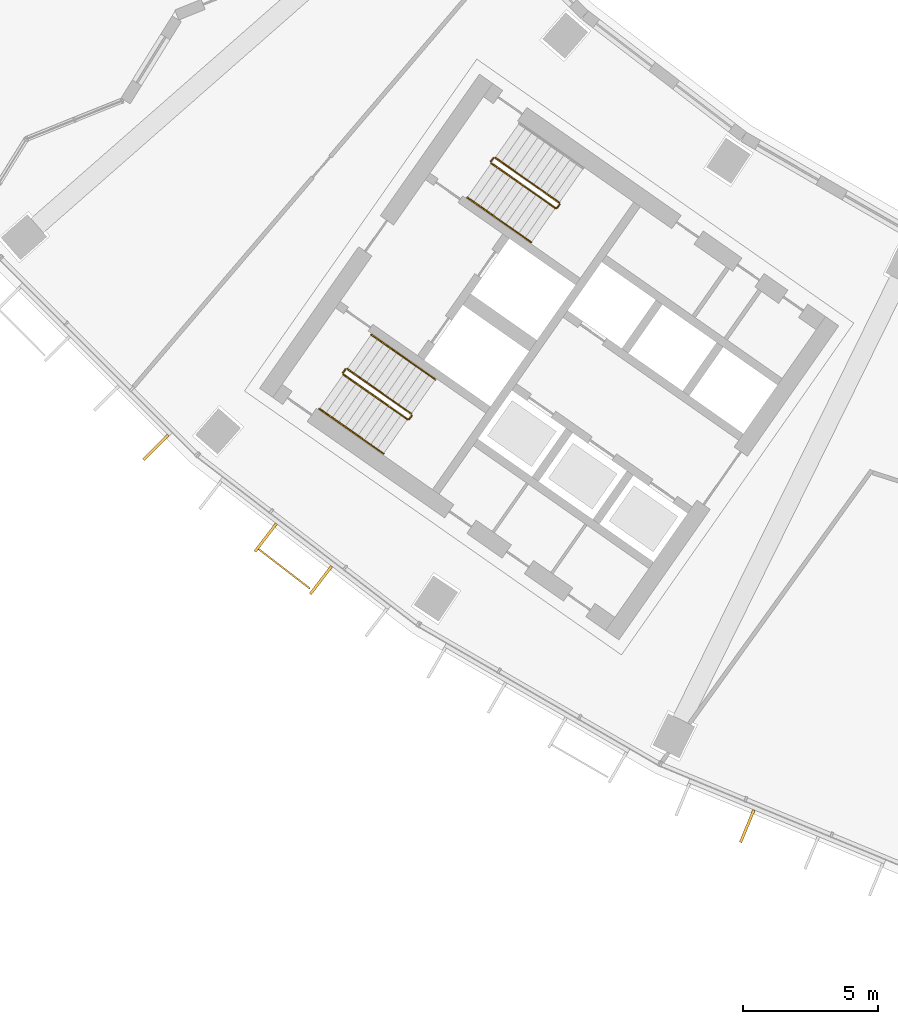
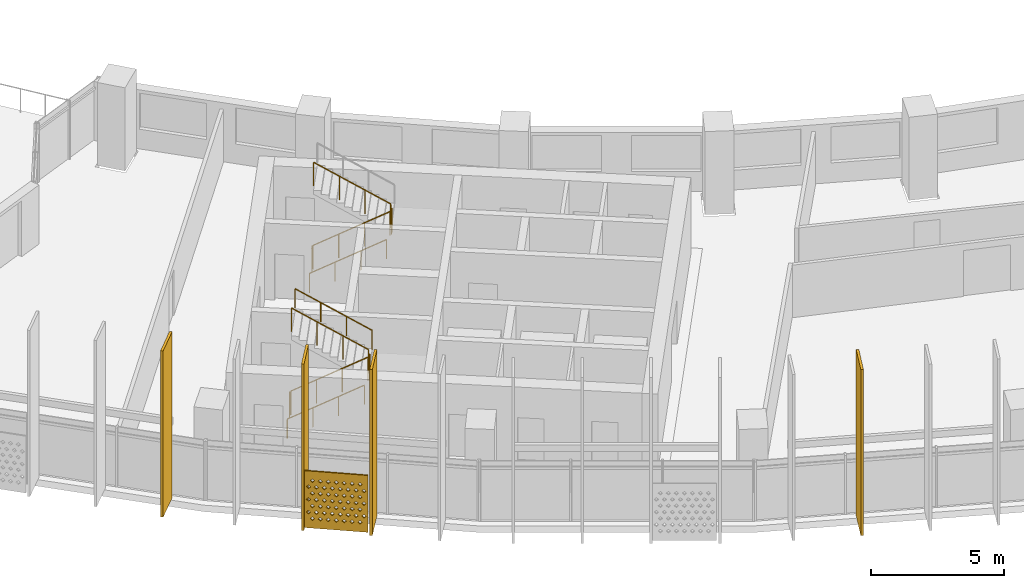
# One storey, part 22 of 31: 9 railings, 5 shading devices.
"""IFC4 building model written with IfcOpenShell, lengths in metres."""

from ifc_helpers import new_model, si_unit, direction, frame, origin, origin_2d, place, context, subcontext, project, spatial, polyline, rectangle, circle, outline, extrude, material, material_profile, profile_set, type_object, element, save


model = new_model("IFC4")

# Units and contexts
model_context = context("Model", 3, precision=1e-05, world=origin(), true_north=direction((0.0, 1.0)))
body_context = subcontext(model_context, "Body", "Model", "MODEL_VIEW")
ifc_project = project(units=[si_unit("LENGTHUNIT", "METRE"), si_unit("AREAUNIT", "SQUARE_METRE"), si_unit("VOLUMEUNIT", "CUBIC_METRE"), si_unit("PLANEANGLEUNIT", "RADIAN"), si_unit("MASSUNIT", "GRAM", prefix="KILO")], contexts=[model_context])

# Site, building, storey
site_placement = place(None, origin())
site = spatial("IfcSite", under=ifc_project, at=site_placement, CompositionType="ELEMENT")
building_placement = place(site_placement, origin())
building = spatial("IfcBuilding", under=site, at=building_placement, Name="Qamariyya Broadcast Tower", CompositionType="ELEMENT")
storey_placement = place(building_placement, frame((0.0, 0.0, 149.300048828125)))
storey = spatial("IfcBuildingStorey", under=building, at=storey_placement, Name="L34", CompositionType="ELEMENT", Elevation=149.300048828125)

# Shading device
ifc_material_1 = material(Name="Perforated glazed terracotta", Category="masonry")
ifc_material_profile_1 = material_profile(ifc_material_1, outline(polyline([(-1.199951171875, -1.300048828125), (1.199951171875, -1.300048828125), (1.199951171875, 1.300048828125), (-1.199951171875, 1.300048828125), (-1.199951171875, -1.300048828125)]), holes=[polyline([(-0.81494140625, -0.86669921875), (-0.89990234375, -0.78173828125), (-0.985107421875, -0.86669921875), (-0.89990234375, -0.95166015625), (-0.81494140625, -0.86669921875)]), polyline([(-0.514892578125, -0.86669921875), (-0.60009765625, -0.78173828125), (-0.68505859375, -0.86669921875), (-0.60009765625, -0.95166015625), (-0.514892578125, -0.86669921875)]), polyline([(-0.215087890625, -0.86669921875), (-0.300048828125, -0.78173828125), (-0.385009765625, -0.86669921875), (-0.300048828125, -0.95166015625), (-0.215087890625, -0.86669921875)]), polyline([(0.0849609375, -0.86669921875), (0.0, -0.78173828125), (-0.0849609375, -0.86669921875), (0.0, -0.95166015625), (0.0849609375, -0.86669921875)]), polyline([(0.385009765625, -0.86669921875), (0.300048828125, -0.78173828125), (0.215087890625, -0.86669921875), (0.300048828125, -0.95166015625), (0.385009765625, -0.86669921875)]), polyline([(0.68505859375, -0.86669921875), (0.60009765625, -0.78173828125), (0.514892578125, -0.86669921875), (0.60009765625, -0.95166015625), (0.68505859375, -0.86669921875)]), polyline([(0.985107421875, -0.86669921875), (0.89990234375, -0.78173828125), (0.81494140625, -0.86669921875), (0.89990234375, -0.95166015625), (0.985107421875, -0.86669921875)]), polyline([(-0.965087890625, -0.577880859375), (-1.050048828125, -0.49267578125), (-1.135009765625, -0.577880859375), (-1.050048828125, -0.662841796875), (-0.965087890625, -0.577880859375)]), polyline([(-0.6650390625, -0.577880859375), (-0.75, -0.49267578125), (-0.8349609375, -0.577880859375), (-0.75, -0.662841796875), (-0.6650390625, -0.577880859375)]), polyline([(-0.364990234375, -0.577880859375), (-0.449951171875, -0.49267578125), (-0.534912109375, -0.577880859375), (-0.449951171875, -0.662841796875), (-0.364990234375, -0.577880859375)]), polyline([(-0.06494140625, -0.577880859375), (-0.14990234375, -0.49267578125), (-0.235107421875, -0.577880859375), (-0.14990234375, -0.662841796875), (-0.06494140625, -0.577880859375)]), polyline([(0.235107421875, -0.577880859375), (0.14990234375, -0.49267578125), (0.06494140625, -0.577880859375), (0.14990234375, -0.662841796875), (0.235107421875, -0.577880859375)]), polyline([(0.534912109375, -0.577880859375), (0.449951171875, -0.49267578125), (0.364990234375, -0.577880859375), (0.449951171875, -0.662841796875), (0.534912109375, -0.577880859375)]), polyline([(0.8349609375, -0.577880859375), (0.75, -0.49267578125), (0.6650390625, -0.577880859375), (0.75, -0.662841796875), (0.8349609375, -0.577880859375)]), polyline([(1.135009765625, -0.577880859375), (1.050048828125, -0.49267578125), (0.965087890625, -0.577880859375), (1.050048828125, -0.662841796875), (1.135009765625, -0.577880859375)]), polyline([(-0.81494140625, -0.288818359375), (-0.89990234375, -0.203857421875), (-0.985107421875, -0.288818359375), (-0.89990234375, -0.373779296875), (-0.81494140625, -0.288818359375)]), polyline([(-0.514892578125, -0.288818359375), (-0.60009765625, -0.203857421875), (-0.68505859375, -0.288818359375), (-0.60009765625, -0.373779296875), (-0.514892578125, -0.288818359375)]), polyline([(-0.215087890625, -0.288818359375), (-0.300048828125, -0.203857421875), (-0.385009765625, -0.288818359375), (-0.300048828125, -0.373779296875), (-0.215087890625, -0.288818359375)]), polyline([(0.0849609375, -0.288818359375), (0.0, -0.203857421875), (-0.0849609375, -0.288818359375), (0.0, -0.373779296875), (0.0849609375, -0.288818359375)]), polyline([(0.385009765625, -0.288818359375), (0.300048828125, -0.203857421875), (0.215087890625, -0.288818359375), (0.300048828125, -0.373779296875), (0.385009765625, -0.288818359375)]), polyline([(0.68505859375, -0.288818359375), (0.60009765625, -0.203857421875), (0.514892578125, -0.288818359375), (0.60009765625, -0.373779296875), (0.68505859375, -0.288818359375)]), polyline([(0.985107421875, -0.288818359375), (0.89990234375, -0.203857421875), (0.81494140625, -0.288818359375), (0.89990234375, -0.373779296875), (0.985107421875, -0.288818359375)]), polyline([(-0.965087890625, 0.0), (-1.050048828125, 0.0849609375), (-1.135009765625, 0.0), (-1.050048828125, -0.0849609375), (-0.965087890625, 0.0)]), polyline([(-0.6650390625, 0.0), (-0.75, 0.0849609375), (-0.8349609375, 0.0), (-0.75, -0.0849609375), (-0.6650390625, 0.0)]), polyline([(-0.364990234375, 0.0), (-0.449951171875, 0.0849609375), (-0.534912109375, 0.0), (-0.449951171875, -0.0849609375), (-0.364990234375, 0.0)]), polyline([(-0.06494140625, 0.0), (-0.14990234375, 0.0849609375), (-0.235107421875, 0.0), (-0.14990234375, -0.0849609375), (-0.06494140625, 0.0)]), polyline([(0.235107421875, 0.0), (0.14990234375, 0.0849609375), (0.06494140625, 0.0), (0.14990234375, -0.0849609375), (0.235107421875, 0.0)]), polyline([(0.534912109375, 0.0), (0.449951171875, 0.0849609375), (0.364990234375, 0.0), (0.449951171875, -0.0849609375), (0.534912109375, 0.0)]), polyline([(0.8349609375, 0.0), (0.75, 0.0849609375), (0.6650390625, 0.0), (0.75, -0.0849609375), (0.8349609375, 0.0)]), polyline([(1.135009765625, 0.0), (1.050048828125, 0.0849609375), (0.965087890625, 0.0), (1.050048828125, -0.0849609375), (1.135009765625, 0.0)]), polyline([(-0.81494140625, 0.288818359375), (-0.89990234375, 0.373779296875), (-0.985107421875, 0.288818359375), (-0.89990234375, 0.203857421875), (-0.81494140625, 0.288818359375)]), polyline([(-0.514892578125, 0.288818359375), (-0.60009765625, 0.373779296875), (-0.68505859375, 0.288818359375), (-0.60009765625, 0.203857421875), (-0.514892578125, 0.288818359375)]), polyline([(-0.215087890625, 0.288818359375), (-0.300048828125, 0.373779296875), (-0.385009765625, 0.288818359375), (-0.300048828125, 0.203857421875), (-0.215087890625, 0.288818359375)]), polyline([(0.0849609375, 0.288818359375), (0.0, 0.373779296875), (-0.0849609375, 0.288818359375), (0.0, 0.203857421875), (0.0849609375, 0.288818359375)]), polyline([(0.385009765625, 0.288818359375), (0.300048828125, 0.373779296875), (0.215087890625, 0.288818359375), (0.300048828125, 0.203857421875), (0.385009765625, 0.288818359375)]), polyline([(0.68505859375, 0.288818359375), (0.60009765625, 0.373779296875), (0.514892578125, 0.288818359375), (0.60009765625, 0.203857421875), (0.68505859375, 0.288818359375)]), polyline([(0.985107421875, 0.288818359375), (0.89990234375, 0.373779296875), (0.81494140625, 0.288818359375), (0.89990234375, 0.203857421875), (0.985107421875, 0.288818359375)]), polyline([(-0.965087890625, 0.577880859375), (-1.050048828125, 0.662841796875), (-1.135009765625, 0.577880859375), (-1.050048828125, 0.49267578125), (-0.965087890625, 0.577880859375)]), polyline([(-0.6650390625, 0.577880859375), (-0.75, 0.662841796875), (-0.8349609375, 0.577880859375), (-0.75, 0.49267578125), (-0.6650390625, 0.577880859375)]), polyline([(-0.364990234375, 0.577880859375), (-0.449951171875, 0.662841796875), (-0.534912109375, 0.577880859375), (-0.449951171875, 0.49267578125), (-0.364990234375, 0.577880859375)]), polyline([(-0.06494140625, 0.577880859375), (-0.14990234375, 0.662841796875), (-0.235107421875, 0.577880859375), (-0.14990234375, 0.49267578125), (-0.06494140625, 0.577880859375)]), polyline([(0.235107421875, 0.577880859375), (0.14990234375, 0.662841796875), (0.06494140625, 0.577880859375), (0.14990234375, 0.49267578125), (0.235107421875, 0.577880859375)]), polyline([(0.534912109375, 0.577880859375), (0.449951171875, 0.662841796875), (0.364990234375, 0.577880859375), (0.449951171875, 0.49267578125), (0.534912109375, 0.577880859375)]), polyline([(0.8349609375, 0.577880859375), (0.75, 0.662841796875), (0.6650390625, 0.577880859375), (0.75, 0.49267578125), (0.8349609375, 0.577880859375)]), polyline([(1.135009765625, 0.577880859375), (1.050048828125, 0.662841796875), (0.965087890625, 0.577880859375), (1.050048828125, 0.49267578125), (1.135009765625, 0.577880859375)]), polyline([(-0.81494140625, 0.86669921875), (-0.89990234375, 0.95166015625), (-0.985107421875, 0.86669921875), (-0.89990234375, 0.78173828125), (-0.81494140625, 0.86669921875)]), polyline([(-0.514892578125, 0.86669921875), (-0.60009765625, 0.95166015625), (-0.68505859375, 0.86669921875), (-0.60009765625, 0.78173828125), (-0.514892578125, 0.86669921875)]), polyline([(-0.215087890625, 0.86669921875), (-0.300048828125, 0.95166015625), (-0.385009765625, 0.86669921875), (-0.300048828125, 0.78173828125), (-0.215087890625, 0.86669921875)]), polyline([(0.0849609375, 0.86669921875), (0.0, 0.95166015625), (-0.0849609375, 0.86669921875), (0.0, 0.78173828125), (0.0849609375, 0.86669921875)]), polyline([(0.385009765625, 0.86669921875), (0.300048828125, 0.95166015625), (0.215087890625, 0.86669921875), (0.300048828125, 0.78173828125), (0.385009765625, 0.86669921875)]), polyline([(0.68505859375, 0.86669921875), (0.60009765625, 0.95166015625), (0.514892578125, 0.86669921875), (0.60009765625, 0.78173828125), (0.68505859375, 0.86669921875)]), polyline([(0.985107421875, 0.86669921875), (0.89990234375, 0.95166015625), (0.81494140625, 0.86669921875), (0.89990234375, 0.78173828125), (0.985107421875, 0.86669921875)])]))
ifc_profile_set_1 = profile_set([ifc_material_profile_1], Name="Perforated glazed terracotta")
shading_device_type_1 = type_object("IfcShadingDeviceType", Name="Perforated terracotta screen 2400 x 2600", PredefinedType="USERDEFINED", material=ifc_profile_set_1)
shading_device_placement = place(storey_placement, frame((-48.79541015625, -63.52294921875, 1.349853515625), z_axis=(-0.60971076085, -0.792623989105, 0.0), x_axis=(0.792623989105, -0.60971076085, 0.0)))
element("IfcShadingDevice", 1, at=shading_device_placement, inside=storey, type_object=shading_device_type_1, Name="e-scr-L34-02-1", ObjectType="SCREEN", PredefinedType="USERDEFINED", context=body_context, shape_type="SweptSolid", body=[
    extrude(outline(polyline([(-1.199951171875, -1.300048828125), (1.199951171875, -1.300048828125), (1.199951171875, 1.300048828125), (-1.199951171875, 1.300048828125), (-1.199951171875, -1.300048828125)]), holes=[polyline([(-0.81494140625, -0.86669921875), (-0.89990234375, -0.78173828125), (-0.985107421875, -0.86669921875), (-0.89990234375, -0.95166015625), (-0.81494140625, -0.86669921875)]), polyline([(-0.514892578125, -0.86669921875), (-0.60009765625, -0.78173828125), (-0.68505859375, -0.86669921875), (-0.60009765625, -0.95166015625), (-0.514892578125, -0.86669921875)]), polyline([(-0.215087890625, -0.86669921875), (-0.300048828125, -0.78173828125), (-0.385009765625, -0.86669921875), (-0.300048828125, -0.95166015625), (-0.215087890625, -0.86669921875)]), polyline([(0.0849609375, -0.86669921875), (0.0, -0.78173828125), (-0.0849609375, -0.86669921875), (0.0, -0.95166015625), (0.0849609375, -0.86669921875)]), polyline([(0.385009765625, -0.86669921875), (0.300048828125, -0.78173828125), (0.215087890625, -0.86669921875), (0.300048828125, -0.95166015625), (0.385009765625, -0.86669921875)]), polyline([(0.68505859375, -0.86669921875), (0.60009765625, -0.78173828125), (0.514892578125, -0.86669921875), (0.60009765625, -0.95166015625), (0.68505859375, -0.86669921875)]), polyline([(0.985107421875, -0.86669921875), (0.89990234375, -0.78173828125), (0.81494140625, -0.86669921875), (0.89990234375, -0.95166015625), (0.985107421875, -0.86669921875)]), polyline([(-0.965087890625, -0.577880859375), (-1.050048828125, -0.49267578125), (-1.135009765625, -0.577880859375), (-1.050048828125, -0.662841796875), (-0.965087890625, -0.577880859375)]), polyline([(-0.6650390625, -0.577880859375), (-0.75, -0.49267578125), (-0.8349609375, -0.577880859375), (-0.75, -0.662841796875), (-0.6650390625, -0.577880859375)]), polyline([(-0.364990234375, -0.577880859375), (-0.449951171875, -0.49267578125), (-0.534912109375, -0.577880859375), (-0.449951171875, -0.662841796875), (-0.364990234375, -0.577880859375)]), polyline([(-0.06494140625, -0.577880859375), (-0.14990234375, -0.49267578125), (-0.235107421875, -0.577880859375), (-0.14990234375, -0.662841796875), (-0.06494140625, -0.577880859375)]), polyline([(0.235107421875, -0.577880859375), (0.14990234375, -0.49267578125), (0.06494140625, -0.577880859375), (0.14990234375, -0.662841796875), (0.235107421875, -0.577880859375)]), polyline([(0.534912109375, -0.577880859375), (0.449951171875, -0.49267578125), (0.364990234375, -0.577880859375), (0.449951171875, -0.662841796875), (0.534912109375, -0.577880859375)]), polyline([(0.8349609375, -0.577880859375), (0.75, -0.49267578125), (0.6650390625, -0.577880859375), (0.75, -0.662841796875), (0.8349609375, -0.577880859375)]), polyline([(1.135009765625, -0.577880859375), (1.050048828125, -0.49267578125), (0.965087890625, -0.577880859375), (1.050048828125, -0.662841796875), (1.135009765625, -0.577880859375)]), polyline([(-0.81494140625, -0.288818359375), (-0.89990234375, -0.203857421875), (-0.985107421875, -0.288818359375), (-0.89990234375, -0.373779296875), (-0.81494140625, -0.288818359375)]), polyline([(-0.514892578125, -0.288818359375), (-0.60009765625, -0.203857421875), (-0.68505859375, -0.288818359375), (-0.60009765625, -0.373779296875), (-0.514892578125, -0.288818359375)]), polyline([(-0.215087890625, -0.288818359375), (-0.300048828125, -0.203857421875), (-0.385009765625, -0.288818359375), (-0.300048828125, -0.373779296875), (-0.215087890625, -0.288818359375)]), polyline([(0.0849609375, -0.288818359375), (0.0, -0.203857421875), (-0.0849609375, -0.288818359375), (0.0, -0.373779296875), (0.0849609375, -0.288818359375)]), polyline([(0.385009765625, -0.288818359375), (0.300048828125, -0.203857421875), (0.215087890625, -0.288818359375), (0.300048828125, -0.373779296875), (0.385009765625, -0.288818359375)]), polyline([(0.68505859375, -0.288818359375), (0.60009765625, -0.203857421875), (0.514892578125, -0.288818359375), (0.60009765625, -0.373779296875), (0.68505859375, -0.288818359375)]), polyline([(0.985107421875, -0.288818359375), (0.89990234375, -0.203857421875), (0.81494140625, -0.288818359375), (0.89990234375, -0.373779296875), (0.985107421875, -0.288818359375)]), polyline([(-0.965087890625, 0.0), (-1.050048828125, 0.0849609375), (-1.135009765625, 0.0), (-1.050048828125, -0.0849609375), (-0.965087890625, 0.0)]), polyline([(-0.6650390625, 0.0), (-0.75, 0.0849609375), (-0.8349609375, 0.0), (-0.75, -0.0849609375), (-0.6650390625, 0.0)]), polyline([(-0.364990234375, 0.0), (-0.449951171875, 0.0849609375), (-0.534912109375, 0.0), (-0.449951171875, -0.0849609375), (-0.364990234375, 0.0)]), polyline([(-0.06494140625, 0.0), (-0.14990234375, 0.0849609375), (-0.235107421875, 0.0), (-0.14990234375, -0.0849609375), (-0.06494140625, 0.0)]), polyline([(0.235107421875, 0.0), (0.14990234375, 0.0849609375), (0.06494140625, 0.0), (0.14990234375, -0.0849609375), (0.235107421875, 0.0)]), polyline([(0.534912109375, 0.0), (0.449951171875, 0.0849609375), (0.364990234375, 0.0), (0.449951171875, -0.0849609375), (0.534912109375, 0.0)]), polyline([(0.8349609375, 0.0), (0.75, 0.0849609375), (0.6650390625, 0.0), (0.75, -0.0849609375), (0.8349609375, 0.0)]), polyline([(1.135009765625, 0.0), (1.050048828125, 0.0849609375), (0.965087890625, 0.0), (1.050048828125, -0.0849609375), (1.135009765625, 0.0)]), polyline([(-0.81494140625, 0.288818359375), (-0.89990234375, 0.373779296875), (-0.985107421875, 0.288818359375), (-0.89990234375, 0.203857421875), (-0.81494140625, 0.288818359375)]), polyline([(-0.514892578125, 0.288818359375), (-0.60009765625, 0.373779296875), (-0.68505859375, 0.288818359375), (-0.60009765625, 0.203857421875), (-0.514892578125, 0.288818359375)]), polyline([(-0.215087890625, 0.288818359375), (-0.300048828125, 0.373779296875), (-0.385009765625, 0.288818359375), (-0.300048828125, 0.203857421875), (-0.215087890625, 0.288818359375)]), polyline([(0.0849609375, 0.288818359375), (0.0, 0.373779296875), (-0.0849609375, 0.288818359375), (0.0, 0.203857421875), (0.0849609375, 0.288818359375)]), polyline([(0.385009765625, 0.288818359375), (0.300048828125, 0.373779296875), (0.215087890625, 0.288818359375), (0.300048828125, 0.203857421875), (0.385009765625, 0.288818359375)]), polyline([(0.68505859375, 0.288818359375), (0.60009765625, 0.373779296875), (0.514892578125, 0.288818359375), (0.60009765625, 0.203857421875), (0.68505859375, 0.288818359375)]), polyline([(0.985107421875, 0.288818359375), (0.89990234375, 0.373779296875), (0.81494140625, 0.288818359375), (0.89990234375, 0.203857421875), (0.985107421875, 0.288818359375)]), polyline([(-0.965087890625, 0.577880859375), (-1.050048828125, 0.662841796875), (-1.135009765625, 0.577880859375), (-1.050048828125, 0.49267578125), (-0.965087890625, 0.577880859375)]), polyline([(-0.6650390625, 0.577880859375), (-0.75, 0.662841796875), (-0.8349609375, 0.577880859375), (-0.75, 0.49267578125), (-0.6650390625, 0.577880859375)]), polyline([(-0.364990234375, 0.577880859375), (-0.449951171875, 0.662841796875), (-0.534912109375, 0.577880859375), (-0.449951171875, 0.49267578125), (-0.364990234375, 0.577880859375)]), polyline([(-0.06494140625, 0.577880859375), (-0.14990234375, 0.662841796875), (-0.235107421875, 0.577880859375), (-0.14990234375, 0.49267578125), (-0.06494140625, 0.577880859375)]), polyline([(0.235107421875, 0.577880859375), (0.14990234375, 0.662841796875), (0.06494140625, 0.577880859375), (0.14990234375, 0.49267578125), (0.235107421875, 0.577880859375)]), polyline([(0.534912109375, 0.577880859375), (0.449951171875, 0.662841796875), (0.364990234375, 0.577880859375), (0.449951171875, 0.49267578125), (0.534912109375, 0.577880859375)]), polyline([(0.8349609375, 0.577880859375), (0.75, 0.662841796875), (0.6650390625, 0.577880859375), (0.75, 0.49267578125), (0.8349609375, 0.577880859375)]), polyline([(1.135009765625, 0.577880859375), (1.050048828125, 0.662841796875), (0.965087890625, 0.577880859375), (1.050048828125, 0.49267578125), (1.135009765625, 0.577880859375)]), polyline([(-0.81494140625, 0.86669921875), (-0.89990234375, 0.95166015625), (-0.985107421875, 0.86669921875), (-0.89990234375, 0.78173828125), (-0.81494140625, 0.86669921875)]), polyline([(-0.514892578125, 0.86669921875), (-0.60009765625, 0.95166015625), (-0.68505859375, 0.86669921875), (-0.60009765625, 0.78173828125), (-0.514892578125, 0.86669921875)]), polyline([(-0.215087890625, 0.86669921875), (-0.300048828125, 0.95166015625), (-0.385009765625, 0.86669921875), (-0.300048828125, 0.78173828125), (-0.215087890625, 0.86669921875)]), polyline([(0.0849609375, 0.86669921875), (0.0, 0.95166015625), (-0.0849609375, 0.86669921875), (0.0, 0.78173828125), (0.0849609375, 0.86669921875)]), polyline([(0.385009765625, 0.86669921875), (0.300048828125, 0.95166015625), (0.215087890625, 0.86669921875), (0.300048828125, 0.78173828125), (0.385009765625, 0.86669921875)]), polyline([(0.68505859375, 0.86669921875), (0.60009765625, 0.95166015625), (0.514892578125, 0.86669921875), (0.60009765625, 0.78173828125), (0.68505859375, 0.86669921875)]), polyline([(0.985107421875, 0.86669921875), (0.89990234375, 0.95166015625), (0.81494140625, 0.86669921875), (0.89990234375, 0.78173828125), (0.985107421875, 0.86669921875)])]), origin(), (0.0, 0.0, 1.0), 0.06005859375),
])

# Railings
ifc_material_2 = material(Name="Painted steel", Category="steel")
railing_type_1 = type_object("IfcRailingType", Name="Stair guard", PredefinedType="GUARDRAIL", material=ifc_material_2)
railing_1_placement = place(storey_placement, frame((-41.146728515625, -48.52490234375, 0.172607421875)))
element("IfcRailing", 2, at=railing_1_placement, inside=storey, type_object=railing_type_1, Name="L34 ST-W2 stair guard 1", PredefinedType="GUARDRAIL", context=body_context, shape_type="SweptSolid", body=[
    extrude(circle(Radius=0.02392578125, at=origin_2d()), frame((0.0, 0.0, 1.076171875), z_axis=(0.703770094002, -0.492783725636, 0.511734163933), x_axis=(0.573575343427, 0.819152809562, 0.0)), (0.0, 0.0, 1.0), 3.37548828125),
    extrude(circle(Radius=0.02392578125, at=origin_2d()), frame((2.37548828125, -1.663330078125, 2.80322265625), z_axis=(0.985059694769, 0.172213233351, 0.0), x_axis=(-0.172213233351, 0.985059694769, 0.0)), (0.0, 0.0, 1.0), 0.07080078125),
    extrude(circle(Radius=0.02392578125, at=origin_2d()), frame((2.4453125, -1.651123046875, 2.80322265625), z_axis=(0.572588637393, 0.819842821722, 0.0), x_axis=(-0.819842821722, 0.572588637393, 0.0)), (0.0, 0.0, 1.0), 0.150146484375),
    extrude(circle(Radius=0.02099609375, at=origin_2d()), origin(), (0.0, 0.0, 1.0), 1.052001953125),
    extrude(circle(Radius=0.02099609375, at=origin_2d()), frame((0.791748046875, -0.554443359375, 0.57568359375)), (0.0, 0.0, 1.0), 1.052001953125),
    extrude(circle(Radius=0.02099609375, at=origin_2d()), frame((1.583740234375, -1.10888671875, 1.151611328125)), (0.0, 0.0, 1.0), 1.052001953125),
    extrude(circle(Radius=0.02099609375, at=origin_2d()), frame((2.37548828125, -1.663330078125, 1.727294921875)), (0.0, 0.0, 1.0), 1.052001953125),
    extrude(circle(Radius=0.02099609375, at=origin_2d()), frame((2.4453125, -1.651123046875, 1.727294921875)), (0.0, 0.0, 1.0), 1.052001953125),
    extrude(circle(Radius=0.02099609375, at=origin_2d()), frame((2.53125, -1.528076171875, 1.727294921875)), (0.0, 0.0, 1.0), 1.052001953125),
])
railing_2_placement = place(storey_placement, frame((-38.627685546875, -49.9833984375, 2.07275390625)))
element("IfcRailing", 3, at=railing_2_placement, inside=storey, type_object=railing_type_1, Name="L34 ST-W2 stair guard 2", PredefinedType="GUARDRAIL", context=body_context, shape_type="SweptSolid", body=[
    extrude(circle(Radius=0.02392578125, at=origin_2d()), frame((0.0, 0.0, 1.076171875), z_axis=(-0.703770094002, 0.492783725636, 0.511734163933), x_axis=(-0.573575343427, -0.819152809562, 0.0)), (0.0, 0.0, 1.0), 3.37548828125),
    extrude(circle(Radius=0.02099609375, at=origin_2d()), origin(), (0.0, 0.0, 1.0), 1.052001953125),
    extrude(circle(Radius=0.02099609375, at=origin_2d()), frame((-0.791748046875, 0.554443359375, 0.57568359375)), (0.0, 0.0, 1.0), 1.052001953125),
    extrude(circle(Radius=0.02099609375, at=origin_2d()), frame((-1.583740234375, 1.10888671875, 1.151611328125)), (0.0, 0.0, 1.0), 1.052001953125),
    extrude(circle(Radius=0.02099609375, at=origin_2d()), frame((-2.37548828125, 1.663330078125, 1.727294921875)), (0.0, 0.0, 1.0), 1.052001953125),
])
railing_3_placement = place(storey_placement, frame((-41.158935546875, -48.455322265625, 0.0)))
element("IfcRailing", 4, at=railing_3_placement, inside=storey, type_object=railing_type_1, Name="L34 ST-W2 stair guard 3", PredefinedType="GUARDRAIL", context=body_context, shape_type="SweptSolid", body=[
    extrude(circle(Radius=0.02392578125, at=origin_2d()), frame((0.0, 0.0, 1.076171875), z_axis=(0.572588637393, 0.819842821722, 0.0), x_axis=(-0.819842821722, 0.572588637393, 0.0)), (0.0, 0.0, 1.0), 0.150146484375),
    extrude(circle(Radius=0.02099609375, at=origin_2d()), origin(), (0.0, 0.0, 1.0), 1.052001953125),
    extrude(circle(Radius=0.02099609375, at=origin_2d()), frame((0.0859375, 0.123046875, 0.0)), (0.0, 0.0, 1.0), 1.052001953125),
])
railing_4_placement = place(storey_placement, frame((-46.624267578125, -56.34765625, 0.172607421875)))
element("IfcRailing", 5, at=railing_4_placement, inside=storey, type_object=railing_type_1, Name="L34 ST-W1 stair guard 1", PredefinedType="GUARDRAIL", context=body_context, shape_type="SweptSolid", body=[
    extrude(circle(Radius=0.02392578125, at=origin_2d()), frame((0.0, 0.0, 1.076171875), z_axis=(0.703745009021, -0.492838488332, 0.511715923826), x_axis=(0.573631830683, 0.819113253969, 0.0)), (0.0, 0.0, 1.0), 3.37548828125),
    extrude(circle(Radius=0.02392578125, at=origin_2d()), frame((2.37548828125, -1.66357421875, 2.80322265625), z_axis=(0.984363469884, 0.176149252506, 0.0), x_axis=(-0.176149252506, 0.984363469884, 0.0)), (0.0, 0.0, 1.0), 0.07080078125),
    extrude(circle(Radius=0.02392578125, at=origin_2d()), frame((2.445068359375, -1.651123046875, 2.80322265625), z_axis=(0.574444878118, 0.818543268254, 0.0), x_axis=(-0.818543268254, 0.574444878118, 0.0)), (0.0, 0.0, 1.0), 0.150146484375),
    extrude(circle(Radius=0.02099609375, at=origin_2d()), origin(), (0.0, 0.0, 1.0), 1.052001953125),
    extrude(circle(Radius=0.02099609375, at=origin_2d()), frame((0.791748046875, -0.554443359375, 0.57568359375)), (0.0, 0.0, 1.0), 1.052001953125),
    extrude(circle(Radius=0.02099609375, at=origin_2d()), frame((1.583740234375, -1.109130859375, 1.151611328125)), (0.0, 0.0, 1.0), 1.052001953125),
    extrude(circle(Radius=0.02099609375, at=origin_2d()), frame((2.37548828125, -1.66357421875, 1.727294921875)), (0.0, 0.0, 1.0), 1.052001953125),
    extrude(circle(Radius=0.02099609375, at=origin_2d()), frame((2.445068359375, -1.651123046875, 1.727294921875)), (0.0, 0.0, 1.0), 1.052001953125),
    extrude(circle(Radius=0.02099609375, at=origin_2d()), frame((2.53125, -1.5283203125, 1.727294921875)), (0.0, 0.0, 1.0), 1.052001953125),
])
railing_5_placement = place(storey_placement, frame((-44.10546875, -57.806396484375, 2.07275390625)))
element("IfcRailing", 6, at=railing_5_placement, inside=storey, type_object=railing_type_1, Name="L34 ST-W1 stair guard 2", PredefinedType="GUARDRAIL", context=body_context, shape_type="SweptSolid", body=[
    extrude(circle(Radius=0.02392578125, at=origin_2d()), frame((0.0, 0.0, 1.076171875), z_axis=(-0.703770094002, 0.492783725636, 0.511734163933), x_axis=(-0.573575343427, -0.819152809562, 0.0)), (0.0, 0.0, 1.0), 3.37548828125),
    extrude(circle(Radius=0.02099609375, at=origin_2d()), origin(), (0.0, 0.0, 1.0), 1.052001953125),
    extrude(circle(Radius=0.02099609375, at=origin_2d()), frame((-0.791748046875, 0.554443359375, 0.57568359375)), (0.0, 0.0, 1.0), 1.052001953125),
    extrude(circle(Radius=0.02099609375, at=origin_2d()), frame((-1.583740234375, 1.10888671875, 1.151611328125)), (0.0, 0.0, 1.0), 1.052001953125),
    extrude(circle(Radius=0.02099609375, at=origin_2d()), frame((-2.37548828125, 1.663330078125, 1.727294921875)), (0.0, 0.0, 1.0), 1.052001953125),
])
railing_6_placement = place(storey_placement, frame((-46.63671875, -56.278076171875, 0.0)))
element("IfcRailing", 7, at=railing_6_placement, inside=storey, type_object=railing_type_1, Name="L34 ST-W1 stair guard 3", PredefinedType="GUARDRAIL", context=body_context, shape_type="SweptSolid", body=[
    extrude(circle(Radius=0.02392578125, at=origin_2d()), frame((0.0, 0.0, 1.076171875), z_axis=(0.574444878118, 0.818543268254, 0.0), x_axis=(-0.818543268254, 0.574444878118, 0.0)), (0.0, 0.0, 1.0), 0.150146484375),
    extrude(circle(Radius=0.02099609375, at=origin_2d()), origin(), (0.0, 0.0, 1.0), 1.052001953125),
    extrude(circle(Radius=0.02099609375, at=origin_2d()), frame((0.086181640625, 0.122802734375, 0.0)), (0.0, 0.0, 1.0), 1.052001953125),
])
ifc_material_3 = material(Name="Stainless steel", Category="steel")
railing_type_2 = type_object("IfcRailingType", Name="Stair handrail", PredefinedType="HANDRAIL", material=ifc_material_3)
railing_7_placement = place(storey_placement, frame((-42.03564453125, -49.79443359375, 0.172607421875)))
element("IfcRailing", 8, at=railing_7_placement, inside=storey, type_object=railing_type_2, Name="L34 ST-W2 stair handrail 1", PredefinedType="HANDRAIL", context=body_context, shape_type="SweptSolid", body=[
    extrude(circle(Radius=0.02392578125, at=origin_2d()), frame((0.0, 0.0, 0.8759765625), z_axis=(0.703745009021, -0.492838488332, 0.511715923826), x_axis=(0.573631830683, 0.819113253969, 0.0)), (0.0, 0.0, 1.0), 3.37548828125),
    extrude(circle(Radius=0.02099609375, at=origin_2d()), origin(), (0.0, 0.0, 1.0), 0.851806640625),
    extrude(circle(Radius=0.02099609375, at=origin_2d()), frame((0.791748046875, -0.554443359375, 0.57568359375)), (0.0, 0.0, 1.0), 0.851806640625),
    extrude(circle(Radius=0.02099609375, at=origin_2d()), frame((1.583740234375, -1.109130859375, 1.151611328125)), (0.0, 0.0, 1.0), 0.851806640625),
    extrude(circle(Radius=0.02099609375, at=origin_2d()), frame((2.37548828125, -1.66357421875, 1.727294921875)), (0.0, 0.0, 1.0), 0.851806640625),
])
railing_8_placement = place(storey_placement, frame((-47.513427734375, -57.617431640625, 0.172607421875)))
element("IfcRailing", 9, at=railing_8_placement, inside=storey, type_object=railing_type_2, Name="L34 ST-W1 stair handrail 1", PredefinedType="HANDRAIL", context=body_context, shape_type="SweptSolid", body=[
    extrude(circle(Radius=0.02392578125, at=origin_2d()), frame((0.0, 0.0, 0.8759765625), z_axis=(0.703770094002, -0.492783725636, 0.511734163933), x_axis=(0.573575343427, 0.819152809562, 0.0)), (0.0, 0.0, 1.0), 3.37548828125),
    extrude(circle(Radius=0.02099609375, at=origin_2d()), origin(), (0.0, 0.0, 1.0), 0.851806640625),
    extrude(circle(Radius=0.02099609375, at=origin_2d()), frame((0.791748046875, -0.554443359375, 0.57568359375)), (0.0, 0.0, 1.0), 0.851806640625),
    extrude(circle(Radius=0.02099609375, at=origin_2d()), frame((1.583740234375, -1.10888671875, 1.151611328125)), (0.0, 0.0, 1.0), 0.851806640625),
    extrude(circle(Radius=0.02099609375, at=origin_2d()), frame((2.37548828125, -1.663330078125, 1.727294921875)), (0.0, 0.0, 1.0), 0.851806640625),
])
railing_9_placement = place(storey_placement, frame((-43.21630859375, -56.53662109375, 2.07275390625)))
element("IfcRailing", 10, at=railing_9_placement, inside=storey, type_object=railing_type_2, Name="L34 ST-W1 stair handrail 2", PredefinedType="HANDRAIL", context=body_context, shape_type="SweptSolid", body=[
    extrude(circle(Radius=0.02392578125, at=origin_2d()), frame((0.0, 0.0, 0.8759765625), z_axis=(-0.703770094002, 0.492783725636, 0.511734163933), x_axis=(-0.573575343427, -0.819152809562, 0.0)), (0.0, 0.0, 1.0), 3.37548828125),
    extrude(circle(Radius=0.02099609375, at=origin_2d()), origin(), (0.0, 0.0, 1.0), 0.851806640625),
    extrude(circle(Radius=0.02099609375, at=origin_2d()), frame((-0.791748046875, 0.554443359375, 0.57568359375)), (0.0, 0.0, 1.0), 0.851806640625),
    extrude(circle(Radius=0.02099609375, at=origin_2d()), frame((-1.583740234375, 1.10888671875, 1.151611328125)), (0.0, 0.0, 1.0), 0.851806640625),
    extrude(circle(Radius=0.02099609375, at=origin_2d()), frame((-2.37548828125, 1.663330078125, 1.727294921875)), (0.0, 0.0, 1.0), 0.851806640625),
])

# Shading devices
ifc_material_4 = material(Name="Glazed terracotta", Category="masonry")
ifc_material_profile_2 = material_profile(ifc_material_4, rectangle(XDim=1.300048828125, YDim=0.10009765625, at=origin_2d()))
ifc_profile_set_2 = profile_set([ifc_material_profile_2], Name="Glazed terracotta")
shading_device_type_2 = type_object("IfcShadingDeviceType", Name="Terracotta fin 100 x 1300", PredefinedType="USERDEFINED", material=ifc_profile_set_2)
for number, where, z_axis, x_axis, name in (
    (11, (-53.5673828125, -59.047607421875, 0.0), (0.0, 0.0, 1.0), (-0.707106781187, -0.707106781187, 0.0), "e-fin-L34-01-3"),
    (12, (-49.5009765625, -62.38916015625, 0.0), (0.0, 0.0, 1.0), (-0.608761429009, -0.793353340291, 0.0), "e-fin-L34-02-1"),
    (13, (-47.451416015625, -63.961669921875, 0.0), (0.0, 0.0, 1.0), (-0.608761429009, -0.793353340291, 0.0), "e-fin-L34-02-2"),
    (14, (-31.666748046875, -73.074951171875, 0.0), (0.0, 0.0, 1.0), (-0.382683432365, -0.923879532511, 0.0), "e-fin-L34-04-1"),
):
    element("IfcShadingDevice", number, at=place(storey_placement, frame(where, z_axis=z_axis, x_axis=x_axis)), inside=storey, type_object=shading_device_type_2, Name=name, ObjectType="FIN", PredefinedType="USERDEFINED", context=body_context, shape_type="SweptSolid", body=[
        extrude(rectangle(XDim=1.300048828125, YDim=0.10009765625, at=origin_2d()), origin(), (0.0, 0.0, 1.0), 7.599853515625),
    ])

save(model, "model.ifc")
